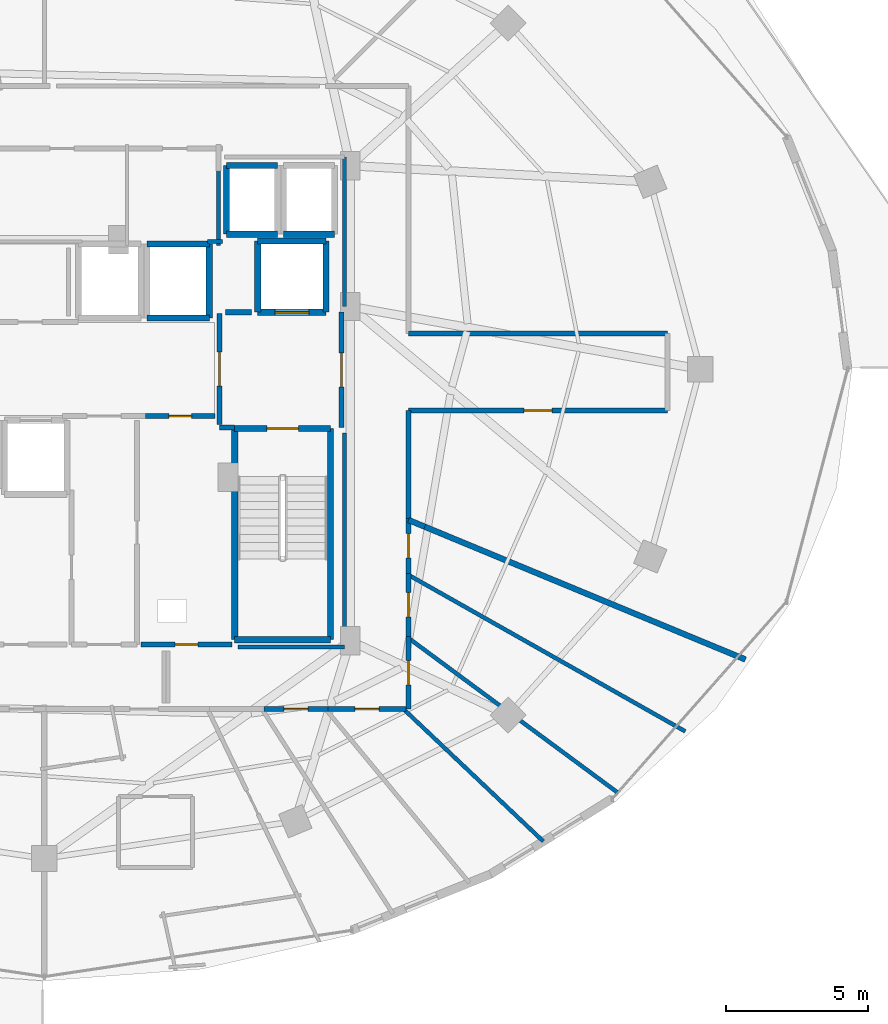
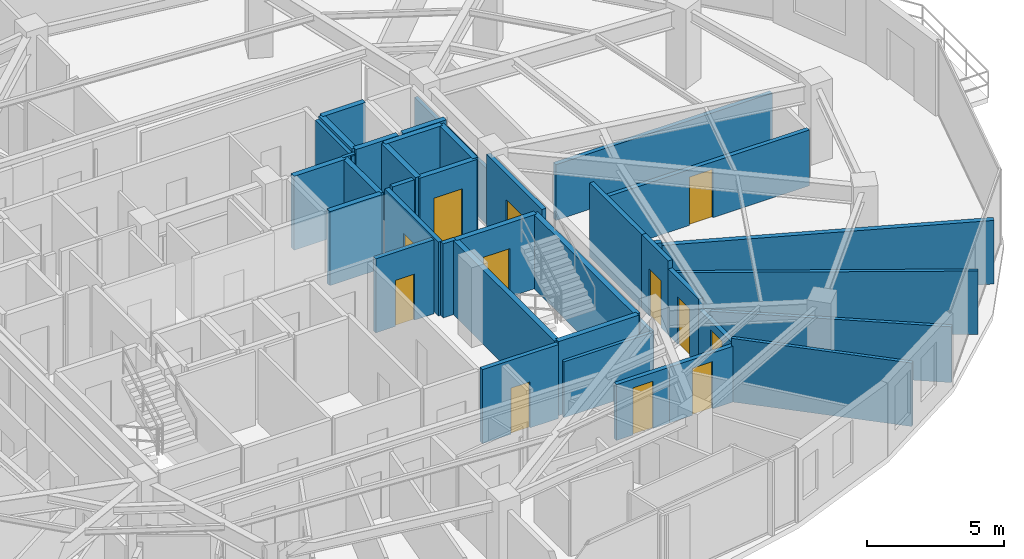
# One storey, part 28 of 33: 39 walls, 12 doors, 12 openings.
"""IFC4 building model written with IfcOpenShell, lengths in metres."""

from ifc_helpers import new_model, si_unit, direction, frame, frame_2d, origin, place, context, subcontext, project, spatial, rectangle, extrude, material, layer, layer_set, type_object, element, fill, save


model = new_model("IFC4")

# Units and contexts
model_context = context("Model", 3, precision=1e-05, world=origin(), true_north=direction((0.0, 1.0)))
body_context = subcontext(model_context, "Body", "Model", "MODEL_VIEW")
ifc_project = project(units=[si_unit("LENGTHUNIT", "METRE"), si_unit("AREAUNIT", "SQUARE_METRE"), si_unit("VOLUMEUNIT", "CUBIC_METRE"), si_unit("PLANEANGLEUNIT", "RADIAN"), si_unit("MASSUNIT", "GRAM", prefix="KILO")], contexts=[model_context])

# Site, building, storey
site_placement = place(None, origin())
site = spatial("IfcSite", under=ifc_project, at=site_placement, CompositionType="ELEMENT")
building_placement = place(site_placement, origin())
building = spatial("IfcBuilding", under=site, at=building_placement, Name="Vorneva Point Tower", CompositionType="ELEMENT")
storey_placement = place(building_placement, frame((0.0, 0.0, 200.10009765625)))
storey = spatial("IfcBuildingStorey", under=building, at=storey_placement, Name="L54", CompositionType="ELEMENT", Elevation=200.10009765625)

# Wall, opening, door
ifc_material_1 = material(Name="Concrete B60 (C50/60)", Category="concrete")
ifc_layer_1 = layer(ifc_material_1, 0.35009765625)
ifc_layer_set_1 = layer_set([ifc_layer_1], Name="Concrete B60 (C50/60)")
wall_type_1 = type_object("IfcWallType", Name="WL-CORE-350", PredefinedType="SHEAR", material=ifc_layer_set_1)
wall_1_placement = place(storey_placement, frame((45.5, 28.0, 0.0), z_axis=(0.0, 0.0, 1.0), x_axis=(1.0, 0.0, 0.0)))
wall_1 = element("IfcWall", 1, at=wall_1_placement, inside=storey, type_object=wall_type_1, Name="L54 Lift FFL2 Shaft Wall -Y", PredefinedType="SHEAR", context=body_context, shape_type="SweptSolid", body=[
    extrude(rectangle(XDim=2.39990234375, YDim=0.219970703125, at=frame_2d((1.199951171875, 0.0))), origin(), (0.0, 0.0, 1.0), 3.289794921875),
])
opening_1_placement = place(wall_1_placement, frame((0.60009765625, 0.0, 0.0)))
opening_1 = element("IfcOpeningElement", 2, at=opening_1_placement, cuts=wall_1, Name="Opening LD-02", PredefinedType="OPENING", context=body_context, shape_type="SweptSolid", body=[
    extrude(rectangle(XDim=1.199951171875, YDim=2.199951171875, at=frame_2d((0.60009765625, 1.10009765625))), frame((0.0, 0.125, 0.0), z_axis=(0.0, -1.0, 0.0), x_axis=(1.0, 0.0, 0.0)), (0.0, 0.0, 1.0), 0.249755859375),
])
ifc_material_2 = material(Name="Brushed stainless steel S304", Category="steel")
door_type_1 = type_object("IfcDoorType", Name="LD-FIRE-1200", OperationType="SLIDING_TO_LEFT", PredefinedType="DOOR", material=ifc_material_2)
door_1_placement = place(opening_1_placement, origin())
door_1 = element("IfcDoor", 3, at=door_1_placement, inside=storey, type_object=door_type_1, Name="L54 Lift FFL2 Sliding Landing Door", OperationType="SLIDING_TO_LEFT", OverallHeight=2.199951171875, OverallWidth=1.199951171875, PredefinedType="DOOR", context=body_context, shape_type="SweptSolid", body=[
    extrude(rectangle(XDim=1.199951171875, YDim=2.199951171875, at=frame_2d((0.60009765625, 1.10009765625))), frame((0.0, 0.02490234375, 0.0), z_axis=(0.0, -1.0, 0.0), x_axis=(1.0, 0.0, 0.0)), (0.0, 0.0, 1.0), 0.050048828125),
])
fill(opening_1, door_1)

# Walls
wall_2_placement = place(storey_placement, frame((47.89990234375, 28.0, 0.0), z_axis=(0.0, 0.0, 1.0), x_axis=(0.0, 1.0, 0.0)))
element("IfcWall", 4, at=wall_2_placement, inside=storey, type_object=wall_type_1, Name="L54 Lift FFL2 Shaft Wall +X", PredefinedType="SHEAR", context=body_context, shape_type="SweptSolid", body=[
    extrude(rectangle(XDim=2.5, YDim=0.219970703125, at=frame_2d((1.25, 0.0))), origin(), (0.0, 0.0, 1.0), 3.289794921875),
])
wall_3_placement = place(storey_placement, frame((47.89990234375, 30.5, 0.0), z_axis=(0.0, 0.0, 1.0), x_axis=(-1.0, 0.0, 0.0)))
element("IfcWall", 5, at=wall_3_placement, inside=storey, type_object=wall_type_1, Name="L54 Lift FFL2 Shaft Wall +Y", PredefinedType="SHEAR", context=body_context, shape_type="SweptSolid", body=[
    extrude(rectangle(XDim=2.39990234375, YDim=0.219970703125, at=frame_2d((1.199951171875, 0.0))), origin(), (0.0, 0.0, 1.0), 3.289794921875),
])
wall_4_placement = place(storey_placement, frame((45.5, 30.5, 0.0), z_axis=(0.0, 0.0, 1.0), x_axis=(0.0, -1.0, 0.0)))
element("IfcWall", 6, at=wall_4_placement, inside=storey, type_object=wall_type_1, Name="L54 Lift FFL2 Shaft Wall -X", PredefinedType="SHEAR", context=body_context, shape_type="SweptSolid", body=[
    extrude(rectangle(XDim=2.5, YDim=0.219970703125, at=frame_2d((1.25, 0.0))), origin(), (0.0, 0.0, 1.0), 3.289794921875),
])
ifc_material_3 = material(Name="Fire-rated acoustic gypsum stud partition", Category="gypsum")
ifc_layer_2 = layer(ifc_material_3, 0.139892578125)
ifc_layer_set_2 = layer_set([ifc_layer_2], Name="Fire-rated acoustic gypsum stud partition")
wall_type_2 = type_object("IfcWallType", Name="WL-PART-140", PredefinedType="PARTITIONING", material=ifc_layer_set_2)
wall_5_placement = place(storey_placement, frame((55.5380859375, 9.40087890625, 0.0), z_axis=(0.0, 0.0, 1.0), x_axis=(-0.726277952769, 0.687401145854, 0.0)))
element("IfcWall", 7, at=wall_5_placement, inside=storey, type_object=wall_type_2, Name="L54 Interior Partition 147", PredefinedType="PARTITIONING", context=body_context, shape_type="SweptSolid", body=[
    extrude(rectangle(XDim=6.763427734375, YDim=0.139892578125, at=frame_2d((3.3818359375, 0.0))), origin(), (0.0, 0.0, 1.0), 2.823974609375),
])
wall_6_placement = place(storey_placement, frame((58.174072265625, 11.09912109375, 0.0), z_axis=(0.0, 0.0, 1.0), x_axis=(-0.804363169868, 0.594137939338, 0.0)))
element("IfcWall", 8, at=wall_6_placement, inside=storey, type_object=wall_type_2, Name="L54 Interior Partition 148", PredefinedType="PARTITIONING", context=body_context, shape_type="SweptSolid", body=[
    extrude(rectangle(XDim=9.16748046875, YDim=0.139892578125, at=frame_2d((4.583740234375, 0.0))), origin(), (0.0, 0.0, 1.0), 2.48193359375),
])
wall_7_placement = place(storey_placement, frame((60.52392578125, 13.26904296875, 0.0), z_axis=(0.0, 0.0, 1.0), x_axis=(-0.870572608778, 0.49203997078, 0.0)))
element("IfcWall", 9, at=wall_7_placement, inside=storey, type_object=wall_type_2, Name="L54 Interior Partition 149", PredefinedType="PARTITIONING", context=body_context, shape_type="SweptSolid", body=[
    extrude(rectangle(XDim=11.16943359375, YDim=0.139892578125, at=frame_2d((5.584716796875, 0.0))), origin(), (0.0, 0.0, 1.0), 2.823974609375),
])
wall_8_placement = place(storey_placement, frame((43.735107421875, 30.47998046875, 0.0), z_axis=(0.0, 0.0, 1.0), x_axis=(1.0, 0.0, 0.0)))
element("IfcWall", 10, at=wall_8_placement, inside=storey, type_object=wall_type_2, Name="L54 Interior Closure Partition 156", PredefinedType="PARTITIONING", context=body_context, shape_type="SweptSolid", body=[
    extrude(rectangle(XDim=0.52490234375, YDim=0.139892578125, at=frame_2d((0.262451171875, 0.0))), origin(), (0.0, 0.0, 1.0), 3.289794921875),
])
wall_9_placement = place(storey_placement, frame((44.1201171875, 30.340087890625, 0.0), z_axis=(0.0, 0.0, 1.0), x_axis=(0.0, 1.0, 0.0)))
element("IfcWall", 11, at=wall_9_placement, inside=storey, type_object=wall_type_2, Name="L54 Interior Closure Partition 157", PredefinedType="PARTITIONING", context=body_context, shape_type="SweptSolid", body=[
    extrude(rectangle(XDim=2.659912109375, YDim=0.139892578125, at=frame_2d((1.330078125, 0.0))), origin(), (0.0, 0.0, 1.0), 3.289794921875),
])
wall_10_placement = place(storey_placement, frame((48.550048828125, 16.239990234375, 0.0), z_axis=(0.0, 0.0, 1.0), x_axis=(0.0, 1.0, 0.0)))
element("IfcWall", 12, at=wall_10_placement, inside=storey, type_object=wall_type_2, Name="L54 Interior Closure Partition 165", PredefinedType="PARTITIONING", context=body_context, shape_type="SweptSolid", body=[
    extrude(rectangle(XDim=7.513916015625, YDim=0.139892578125, at=frame_2d((3.7568359375, 0.0))), origin(), (0.0, 0.0, 1.0), 2.48193359375),
])
wall_11_placement = place(storey_placement, frame((48.550048828125, 28.196044921875, 0.0), z_axis=(0.0, 0.0, 1.0), x_axis=(0.0, 1.0, 0.0)))
element("IfcWall", 13, at=wall_11_placement, inside=storey, type_object=wall_type_2, Name="L54 Interior Closure Partition 166", PredefinedType="PARTITIONING", context=body_context, shape_type="SweptSolid", body=[
    extrude(rectangle(XDim=5.25390625, YDim=0.139892578125, at=frame_2d((2.626953125, 0.0))), origin(), (0.0, 0.0, 1.0), 2.48193359375),
])
wall_12_placement = place(storey_placement, frame((44.804931640625, 16.239990234375, 0.0), z_axis=(0.0, 0.0, 1.0), x_axis=(1.0, 0.0, 0.0)))
element("IfcWall", 14, at=wall_12_placement, inside=storey, type_object=wall_type_2, Name="L54 Interior Closure Partition 175", PredefinedType="PARTITIONING", context=body_context, shape_type="SweptSolid", body=[
    extrude(rectangle(XDim=3.7451171875, YDim=0.139892578125, at=frame_2d((1.87255859375, 0.0))), origin(), (0.0, 0.0, 1.0), 2.48193359375),
])

# Wall, opening, door
ifc_material_4 = material(Name="Autoclaved aerated concrete blockwork", Category="masonry")
ifc_layer_3 = layer(ifc_material_4, 0.179931640625)
ifc_layer_set_3 = layer_set([ifc_layer_3], Name="Autoclaved aerated concrete blockwork")
wall_type_3 = type_object("IfcWallType", Name="WL-PART-180", PredefinedType="PARTITIONING", material=ifc_layer_set_3)
wall_13_placement = place(storey_placement, frame((44.14990234375, 27.955078125, 0.0), z_axis=(0.0, 0.0, 1.0), x_axis=(0.0, -1.0, 0.0)))
wall_13 = element("IfcWall", 15, at=wall_13_placement, inside=storey, type_object=wall_type_3, Name="L54 Interior Partition 003", PredefinedType="PARTITIONING", context=body_context, shape_type="SweptSolid", body=[
    extrude(rectangle(XDim=3.91015625, YDim=0.179931640625, at=frame_2d((1.955078125, 0.0))), origin(), (0.0, 0.0, 1.0), 3.289794921875),
])
opening_2_placement = place(wall_13_placement, frame((1.35498046875, 0.0, 0.0)))
opening_2 = element("IfcOpeningElement", 16, at=opening_2_placement, cuts=wall_13, Name="Opening FD-02", PredefinedType="OPENING", context=body_context, shape_type="SweptSolid", body=[
    extrude(rectangle(XDim=1.199951171875, YDim=2.14990234375, at=frame_2d((0.60009765625, 1.074951171875))), frame((0.0, 0.10498046875, 0.0), z_axis=(0.0, -1.0, 0.0), x_axis=(1.0, 0.0, 0.0)), (0.0, 0.0, 1.0), 0.209716796875),
])
ifc_material_5 = material(Name="Fire-rated powder-coated steel", Category="steel")
door_type_2 = type_object("IfcDoorType", Name="DR-FFL-1200", OperationType="NOTDEFINED", PredefinedType="DOOR", material=ifc_material_5)
door_2_placement = place(opening_2_placement, origin())
door_2 = element("IfcDoor", 17, at=door_2_placement, inside=storey, type_object=door_type_2, Name="L54 Door East Firefighting Lobby / Central Lift Lobby", OperationType="SINGLE_SWING_RIGHT", OverallHeight=2.14990234375, OverallWidth=1.199951171875, PredefinedType="DOOR", context=body_context, shape_type="SweptSolid", body=[
    extrude(rectangle(XDim=1.199951171875, YDim=2.14990234375, at=frame_2d((0.60009765625, 1.074951171875))), frame((0.0, 0.02490234375, 0.0), z_axis=(0.0, -1.0, 0.0), x_axis=(1.0, 0.0, 0.0)), (0.0, 0.0, 1.0), 0.050048828125),
])
fill(opening_2, door_2)

# Wall
wall_14_placement = place(storey_placement, frame((44.14990234375, 23.949951171875, 0.0), z_axis=(0.0, 0.0, 1.0), x_axis=(1.0, 0.0, 0.0)))
element("IfcWall", 18, at=wall_14_placement, inside=storey, type_object=wall_type_3, Name="L54 Interior Partition 004", PredefinedType="PARTITIONING", context=body_context, shape_type="SweptSolid", body=[
    extrude(rectangle(XDim=0.5400390625, YDim=0.179931640625, at=frame_2d((0.27001953125, 0.0))), origin(), (0.0, 0.0, 1.0), 3.289794921875),
])

# Wall, opening, door
wall_15_placement = place(storey_placement, frame((48.449951171875, 23.949951171875, 0.0), z_axis=(0.0, 0.0, 1.0), x_axis=(0.0, 1.0, 0.0)))
wall_15 = element("IfcWall", 19, at=wall_15_placement, inside=storey, type_object=wall_type_3, Name="L54 Interior Partition 005", PredefinedType="PARTITIONING", context=body_context, shape_type="SweptSolid", body=[
    extrude(rectangle(XDim=4.050048828125, YDim=0.179931640625, at=frame_2d((2.02490234375, 0.0))), origin(), (0.0, 0.0, 1.0), 3.289794921875),
])
opening_3_placement = place(wall_15_placement, frame((1.425048828125, 0.0, 0.0)))
opening_3 = element("IfcOpeningElement", 20, at=opening_3_placement, cuts=wall_15, Name="Opening FD-02", PredefinedType="OPENING", context=body_context, shape_type="SweptSolid", body=[
    extrude(rectangle(XDim=1.199951171875, YDim=2.14990234375, at=frame_2d((0.60009765625, 1.074951171875))), frame((0.0, 0.10498046875, 0.0), z_axis=(0.0, -1.0, 0.0), x_axis=(1.0, 0.0, 0.0)), (0.0, 0.0, 1.0), 0.209716796875),
])
door_3_placement = place(opening_3_placement, origin())
door_3 = element("IfcDoor", 21, at=door_3_placement, inside=storey, type_object=door_type_2, Name="L54 Door East Firefighting Lobby / L54 Circulation Corridor", OperationType="SINGLE_SWING_LEFT", OverallHeight=2.14990234375, OverallWidth=1.199951171875, PredefinedType="DOOR", context=body_context, shape_type="SweptSolid", body=[
    extrude(rectangle(XDim=1.199951171875, YDim=2.14990234375, at=frame_2d((0.60009765625, 1.074951171875))), frame((0.0, 0.02490234375, 0.0), z_axis=(0.0, -1.0, 0.0), x_axis=(1.0, 0.0, 0.0)), (0.0, 0.0, 1.0), 0.050048828125),
])
fill(opening_3, door_3)

wall_16_placement = place(storey_placement, frame((41.554931640625, 24.35009765625, 0.0), z_axis=(0.0, 0.0, 1.0), x_axis=(1.0, 0.0, 0.0)))
wall_16 = element("IfcWall", 22, at=wall_16_placement, inside=storey, type_object=wall_type_3, Name="L54 Interior Partition 011", PredefinedType="PARTITIONING", context=body_context, shape_type="SweptSolid", body=[
    extrude(rectangle(XDim=2.445068359375, YDim=0.179931640625, at=frame_2d((1.22265625, 0.0))), origin(), (0.0, 0.0, 1.0), 3.289794921875),
])
opening_4_placement = place(wall_16_placement, frame((0.822509765625, 0.0, 0.0)))
opening_4 = element("IfcOpeningElement", 23, at=opening_4_placement, cuts=wall_16, Name="Opening RD-01", PredefinedType="OPENING", context=body_context, shape_type="SweptSolid", body=[
    extrude(rectangle(XDim=0.800048828125, YDim=2.050048828125, at=frame_2d((0.39990234375, 1.02490234375))), frame((0.0, 0.10498046875, 0.0), z_axis=(0.0, -1.0, 0.0), x_axis=(1.0, 0.0, 0.0)), (0.0, 0.0, 1.0), 0.209716796875),
])
door_type_3 = type_object("IfcDoorType", Name="DR-RSR-800", OperationType="SINGLE_SWING_LEFT", PredefinedType="DOOR", material=ifc_material_5)
door_4_placement = place(opening_4_placement, origin())
door_4 = element("IfcDoor", 24, at=door_4_placement, inside=storey, type_object=door_type_3, Name="L54 Door Central Lift Lobby / Electrical Riser", OperationType="SINGLE_SWING_RIGHT", OverallHeight=2.050048828125, OverallWidth=0.800048828125, PredefinedType="DOOR", context=body_context, shape_type="SweptSolid", body=[
    extrude(rectangle(XDim=0.800048828125, YDim=2.050048828125, at=frame_2d((0.39990234375, 1.02490234375))), frame((0.0, 0.02490234375, 0.0), z_axis=(0.0, -1.0, 0.0), x_axis=(1.0, 0.0, 0.0)), (0.0, 0.0, 1.0), 0.050048828125),
])
fill(opening_4, door_4)

wall_17_placement = place(storey_placement, frame((41.39990234375, 16.320068359375, 0.0), z_axis=(0.0, 0.0, 1.0), x_axis=(1.0, 0.0, 0.0)))
wall_17 = element("IfcWall", 25, at=wall_17_placement, inside=storey, type_object=wall_type_3, Name="L54 Interior Partition 017", PredefinedType="PARTITIONING", context=body_context, shape_type="SweptSolid", body=[
    extrude(rectangle(XDim=3.2001953125, YDim=0.179931640625, at=frame_2d((1.60009765625, 0.0))), origin(), (0.0, 0.0, 1.0), 3.289794921875),
])
opening_5_placement = place(wall_17_placement, frame((1.199951171875, 0.0, 0.0)))
opening_5 = element("IfcOpeningElement", 26, at=opening_5_placement, cuts=wall_17, Name="Opening RD-01", PredefinedType="OPENING", context=body_context, shape_type="SweptSolid", body=[
    extrude(rectangle(XDim=0.800048828125, YDim=2.050048828125, at=frame_2d((0.39990234375, 1.02490234375))), frame((0.0, 0.10498046875, 0.0), z_axis=(0.0, -1.0, 0.0), x_axis=(1.0, 0.0, 0.0)), (0.0, 0.0, 1.0), 0.209716796875),
])
door_5_placement = place(opening_5_placement, origin())
door_5 = element("IfcDoor", 27, at=door_5_placement, inside=storey, type_object=door_type_3, Name="L54 Door Electrical Riser / L54 Circulation Corridor", OperationType="SINGLE_SWING_RIGHT", OverallHeight=2.050048828125, OverallWidth=0.800048828125, PredefinedType="DOOR", context=body_context, shape_type="SweptSolid", body=[
    extrude(rectangle(XDim=0.800048828125, YDim=2.050048828125, at=frame_2d((0.39990234375, 1.02490234375))), frame((0.0, 0.02490234375, 0.0), z_axis=(0.0, -1.0, 0.0), x_axis=(1.0, 0.0, 0.0)), (0.0, 0.0, 1.0), 0.050048828125),
])
fill(opening_5, door_5)

wall_18_placement = place(storey_placement, frame((45.720947265625, 14.050048828125, 0.0), z_axis=(0.0, 0.0, 1.0), x_axis=(1.0, 0.0, 0.0)))
wall_18 = element("IfcWall", 28, at=wall_18_placement, inside=storey, type_object=wall_type_3, Name="L54 Interior Partition 063", PredefinedType="PARTITIONING", context=body_context, shape_type="SweptSolid", body=[
    extrude(rectangle(XDim=2.2431640625, YDim=0.179931640625, at=frame_2d((1.12158203125, 0.0))), origin(), (0.0, 0.0, 1.0), 2.48193359375),
])
opening_6_placement = place(wall_18_placement, frame((0.696533203125, 0.0, 0.0)))
opening_6 = element("IfcOpeningElement", 29, at=opening_6_placement, cuts=wall_18, Name="Opening ID-02", PredefinedType="OPENING", context=body_context, shape_type="SweptSolid", body=[
    extrude(rectangle(XDim=0.85009765625, YDim=2.10009765625, at=frame_2d((0.425048828125, 1.050048828125))), frame((0.0, 0.10498046875, 0.0), z_axis=(0.0, -1.0, 0.0), x_axis=(1.0, 0.0, 0.0)), (0.0, 0.0, 1.0), 0.209716796875),
])
ifc_material_6 = material(Name="Engineered oak fire-rated door leaf", Category="wood")
door_type_4 = type_object("IfcDoorType", Name="DR-BATH-850", OperationType="NOTDEFINED", PredefinedType="DOOR", material=ifc_material_6)
door_6_placement = place(opening_6_placement, origin())
door_6 = element("IfcDoor", 30, at=door_6_placement, inside=storey, type_object=door_type_4, Name="L54 Access Door L54 Circulation Corridor", OperationType="SINGLE_SWING_RIGHT", OverallHeight=2.10009765625, OverallWidth=0.85009765625, PredefinedType="DOOR", context=body_context, shape_type="SweptSolid", body=[
    extrude(rectangle(XDim=0.85009765625, YDim=2.10009765625, at=frame_2d((0.425048828125, 1.050048828125))), frame((0.0, 0.02490234375, 0.0), z_axis=(0.0, -1.0, 0.0), x_axis=(1.0, 0.0, 0.0)), (0.0, 0.0, 1.0), 0.050048828125),
])
fill(opening_6, door_6)

wall_19_placement = place(storey_placement, frame((47.964111328125, 14.050048828125, 0.0), z_axis=(0.0, 0.0, 1.0), x_axis=(1.0, 0.0, 0.0)))
wall_19 = element("IfcWall", 31, at=wall_19_placement, inside=storey, type_object=wall_type_3, Name="L54 Interior Partition 064", PredefinedType="PARTITIONING", context=body_context, shape_type="SweptSolid", body=[
    extrude(rectangle(XDim=2.748779296875, YDim=0.179931640625, at=frame_2d((1.37451171875, 0.0))), origin(), (0.0, 0.0, 1.0), 2.48193359375),
])
opening_7_placement = place(wall_19_placement, frame((0.949462890625, 0.0, 0.0)))
opening_7 = element("IfcOpeningElement", 32, at=opening_7_placement, cuts=wall_19, Name="Opening ID-02", PredefinedType="OPENING", context=body_context, shape_type="SweptSolid", body=[
    extrude(rectangle(XDim=0.85009765625, YDim=2.10009765625, at=frame_2d((0.425048828125, 1.050048828125))), frame((0.0, 0.10498046875, 0.0), z_axis=(0.0, -1.0, 0.0), x_axis=(1.0, 0.0, 0.0)), (0.0, 0.0, 1.0), 0.209716796875),
])
door_7_placement = place(opening_7_placement, origin())
door_7 = element("IfcDoor", 33, at=door_7_placement, inside=storey, type_object=door_type_4, Name="L54 Access Door L54 Circulation Corridor", OperationType="SINGLE_SWING_LEFT", OverallHeight=2.10009765625, OverallWidth=0.85009765625, PredefinedType="DOOR", context=body_context, shape_type="SweptSolid", body=[
    extrude(rectangle(XDim=0.85009765625, YDim=2.10009765625, at=frame_2d((0.425048828125, 1.050048828125))), frame((0.0, 0.02490234375, 0.0), z_axis=(0.0, -1.0, 0.0), x_axis=(1.0, 0.0, 0.0)), (0.0, 0.0, 1.0), 0.050048828125),
])
fill(opening_7, door_7)

wall_20_placement = place(storey_placement, frame((50.800048828125, 14.050048828125, 0.0), z_axis=(0.0, 0.0, 1.0), x_axis=(0.0, 1.0, 0.0)))
wall_20 = element("IfcWall", 34, at=wall_20_placement, inside=storey, type_object=wall_type_3, Name="L54 Interior Partition 065", PredefinedType="PARTITIONING", context=body_context, shape_type="SweptSolid", body=[
    extrude(rectangle(XDim=2.555908203125, YDim=0.179931640625, at=frame_2d((1.27783203125, 0.0))), origin(), (0.0, 0.0, 1.0), 2.48193359375),
])
opening_8_placement = place(wall_20_placement, frame((0.85302734375, 0.0, 0.0)))
opening_8 = element("IfcOpeningElement", 35, at=opening_8_placement, cuts=wall_20, Name="Opening ID-02", PredefinedType="OPENING", context=body_context, shape_type="SweptSolid", body=[
    extrude(rectangle(XDim=0.85009765625, YDim=2.10009765625, at=frame_2d((0.425048828125, 1.050048828125))), frame((0.0, 0.10498046875, 0.0), z_axis=(0.0, -1.0, 0.0), x_axis=(1.0, 0.0, 0.0)), (0.0, 0.0, 1.0), 0.209716796875),
])
door_8_placement = place(opening_8_placement, origin())
door_8 = element("IfcDoor", 36, at=door_8_placement, inside=storey, type_object=door_type_4, Name="L54 Access Door L54 Circulation Corridor", OperationType="SINGLE_SWING_RIGHT", OverallHeight=2.10009765625, OverallWidth=0.85009765625, PredefinedType="DOOR", context=body_context, shape_type="SweptSolid", body=[
    extrude(rectangle(XDim=0.85009765625, YDim=2.10009765625, at=frame_2d((0.425048828125, 1.050048828125))), frame((0.0, 0.02490234375, 0.0), z_axis=(0.0, -1.0, 0.0), x_axis=(1.0, 0.0, 0.0)), (0.0, 0.0, 1.0), 0.050048828125),
])
fill(opening_8, door_8)

wall_21_placement = place(storey_placement, frame((50.800048828125, 16.60595703125, 0.0), z_axis=(0.0, 0.0, 1.0), x_axis=(0.0, 1.0, 0.0)))
wall_21 = element("IfcWall", 37, at=wall_21_placement, inside=storey, type_object=wall_type_3, Name="L54 Interior Partition 066", PredefinedType="PARTITIONING", context=body_context, shape_type="SweptSolid", body=[
    extrude(rectangle(XDim=2.218994140625, YDim=0.179931640625, at=frame_2d((1.109375, 0.0))), origin(), (0.0, 0.0, 1.0), 2.935791015625),
])
opening_9_placement = place(wall_21_placement, frame((0.6845703125, 0.0, 0.0)))
opening_9 = element("IfcOpeningElement", 38, at=opening_9_placement, cuts=wall_21, Name="Opening ID-02", PredefinedType="OPENING", context=body_context, shape_type="SweptSolid", body=[
    extrude(rectangle(XDim=0.85009765625, YDim=2.10009765625, at=frame_2d((0.425048828125, 1.050048828125))), frame((0.0, 0.10498046875, 0.0), z_axis=(0.0, -1.0, 0.0), x_axis=(1.0, 0.0, 0.0)), (0.0, 0.0, 1.0), 0.209716796875),
])
door_9_placement = place(opening_9_placement, origin())
door_9 = element("IfcDoor", 39, at=door_9_placement, inside=storey, type_object=door_type_4, Name="L54 Access Door L54 Circulation Corridor", OperationType="SINGLE_SWING_LEFT", OverallHeight=2.10009765625, OverallWidth=0.85009765625, PredefinedType="DOOR", context=body_context, shape_type="SweptSolid", body=[
    extrude(rectangle(XDim=0.85009765625, YDim=2.10009765625, at=frame_2d((0.425048828125, 1.050048828125))), frame((0.0, 0.02490234375, 0.0), z_axis=(0.0, -1.0, 0.0), x_axis=(1.0, 0.0, 0.0)), (0.0, 0.0, 1.0), 0.050048828125),
])
fill(opening_9, door_9)

wall_22_placement = place(storey_placement, frame((50.800048828125, 18.824951171875, 0.0), z_axis=(0.0, 0.0, 1.0), x_axis=(0.0, 1.0, 0.0)))
wall_22 = element("IfcWall", 40, at=wall_22_placement, inside=storey, type_object=wall_type_3, Name="L54 Interior Partition 067", PredefinedType="PARTITIONING", context=body_context, shape_type="SweptSolid", body=[
    extrude(rectangle(XDim=1.93310546875, YDim=0.179931640625, at=frame_2d((0.966552734375, 0.0))), origin(), (0.0, 0.0, 1.0), 3.289794921875),
])
opening_10_placement = place(wall_22_placement, frame((0.54150390625, 0.0, 0.0)))
opening_10 = element("IfcOpeningElement", 41, at=opening_10_placement, cuts=wall_22, Name="Opening ID-02", PredefinedType="OPENING", context=body_context, shape_type="SweptSolid", body=[
    extrude(rectangle(XDim=0.85009765625, YDim=2.10009765625, at=frame_2d((0.425048828125, 1.050048828125))), frame((0.0, 0.10498046875, 0.0), z_axis=(0.0, -1.0, 0.0), x_axis=(1.0, 0.0, 0.0)), (0.0, 0.0, 1.0), 0.209716796875),
])
door_10_placement = place(opening_10_placement, origin())
door_10 = element("IfcDoor", 42, at=door_10_placement, inside=storey, type_object=door_type_4, Name="L54 Access Door L54 Circulation Corridor", OperationType="SINGLE_SWING_RIGHT", OverallHeight=2.10009765625, OverallWidth=0.85009765625, PredefinedType="DOOR", context=body_context, shape_type="SweptSolid", body=[
    extrude(rectangle(XDim=0.85009765625, YDim=2.10009765625, at=frame_2d((0.425048828125, 1.050048828125))), frame((0.0, 0.02490234375, 0.0), z_axis=(0.0, -1.0, 0.0), x_axis=(1.0, 0.0, 0.0)), (0.0, 0.0, 1.0), 0.050048828125),
])
fill(opening_10, door_10)

# Wall
wall_23_placement = place(storey_placement, frame((50.800048828125, 20.758056640625, 0.0), z_axis=(0.0, 0.0, 1.0), x_axis=(0.0, 1.0, 0.0)))
element("IfcWall", 43, at=wall_23_placement, inside=storey, type_object=wall_type_3, Name="L54 Interior Partition 068", PredefinedType="PARTITIONING", context=body_context, shape_type="SweptSolid", body=[
    extrude(rectangle(XDim=3.7919921875, YDim=0.179931640625, at=frame_2d((1.89599609375, 0.0))), origin(), (0.0, 0.0, 1.0), 3.289794921875),
])

# Wall, opening, door
wall_24_placement = place(storey_placement, frame((50.800048828125, 24.550048828125, 0.0), z_axis=(0.0, 0.0, 1.0), x_axis=(1.0, 0.0, 0.0)))
wall_24 = element("IfcWall", 44, at=wall_24_placement, inside=storey, type_object=wall_type_3, Name="L54 Interior Partition 069", PredefinedType="PARTITIONING", context=body_context, shape_type="SweptSolid", body=[
    extrude(rectangle(XDim=9.099853515625, YDim=0.179931640625, at=frame_2d((4.5498046875, 0.0))), origin(), (0.0, 0.0, 1.0), 2.48193359375),
])
opening_11_placement = place(wall_24_placement, frame((4.050048828125, 0.0, 0.0)))
opening_11 = element("IfcOpeningElement", 45, at=opening_11_placement, cuts=wall_24, Name="Opening UD-01", PredefinedType="OPENING", context=body_context, shape_type="SweptSolid", body=[
    extrude(rectangle(XDim=1.0, YDim=2.14990234375, at=frame_2d((0.5, 1.074951171875))), frame((0.0, 0.10498046875, 0.0), z_axis=(0.0, -1.0, 0.0), x_axis=(1.0, 0.0, 0.0)), (0.0, 0.0, 1.0), 0.209716796875),
])
door_type_5 = type_object("IfcDoorType", Name="DR-UNIT-1000", OperationType="NOTDEFINED", PredefinedType="DOOR", material=ifc_material_6)
door_11_placement = place(opening_11_placement, origin())
door_11 = element("IfcDoor", 46, at=door_11_placement, inside=storey, type_object=door_type_5, Name="L54 Door L54 Circulation Corridor / Residents Co-Working Office L54-06", OperationType="SINGLE_SWING_LEFT", OverallHeight=2.14990234375, OverallWidth=1.0, PredefinedType="DOOR", context=body_context, shape_type="SweptSolid", body=[
    extrude(rectangle(XDim=1.0, YDim=2.14990234375, at=frame_2d((0.5, 1.074951171875))), frame((0.0, 0.02490234375, 0.0), z_axis=(0.0, -1.0, 0.0), x_axis=(1.0, 0.0, 0.0)), (0.0, 0.0, 1.0), 0.050048828125),
])
fill(opening_11, door_11)

# Walls
wall_25_placement = place(storey_placement, frame((59.89990234375, 27.25, 0.0), z_axis=(0.0, 0.0, 1.0), x_axis=(-1.0, 0.0, 0.0)))
element("IfcWall", 47, at=wall_25_placement, inside=storey, type_object=wall_type_3, Name="L54 Interior Partition 071", PredefinedType="PARTITIONING", context=body_context, shape_type="SweptSolid", body=[
    extrude(rectangle(XDim=9.099853515625, YDim=0.179931640625, at=frame_2d((4.5498046875, 0.0))), origin(), (0.0, 0.0, 1.0), 2.48193359375),
])
wall_26_placement = place(storey_placement, frame((45.280029296875, 28.0, 0.0), z_axis=(0.0, 0.0, 1.0), x_axis=(-1.0, 0.0, 0.0)))
element("IfcWall", 48, at=wall_26_placement, inside=storey, type_object=wall_type_3, Name="L54 Interior Closure Partition 153", PredefinedType="PARTITIONING", context=body_context, shape_type="SweptSolid", body=[
    extrude(rectangle(XDim=0.9150390625, YDim=0.179931640625, at=frame_2d((0.45751953125, 0.0))), origin(), (0.0, 0.0, 1.0), 3.289794921875),
])
ifc_layer_4 = layer(ifc_material_4, 0.199951171875)
ifc_layer_set_4 = layer_set([ifc_layer_4], Name="Autoclaved aerated concrete blockwork")
wall_type_4 = type_object("IfcWallType", Name="WL-PART-200", PredefinedType="PARTITIONING", material=ifc_layer_set_4)
wall_27_placement = place(storey_placement, frame((51.368896484375, 20.4619140625, 0.0), z_axis=(0.0, 0.0, 1.0), x_axis=(-0.923615496363, 0.383320251066, 0.0)))
element("IfcWall", 49, at=wall_27_placement, inside=storey, type_object=wall_type_4, Name="L54 Interior Partition 150", PredefinedType="PARTITIONING", context=body_context, shape_type="SweptSolid", body=[
    extrude(rectangle(XDim=0.615966796875, YDim=0.199951171875, at=frame_2d((0.30810546875, 0.0))), origin(), (0.0, 0.0, 1.0), 2.935791015625),
])
wall_28_placement = place(storey_placement, frame((62.639892578125, 15.7939453125, 0.0), z_axis=(0.0, 0.0, 1.0), x_axis=(-0.923897809723, 0.382639304291, 0.0)))
element("IfcWall", 50, at=wall_28_placement, inside=storey, type_object=wall_type_4, Name="L54 Interior Partition 151", PredefinedType="PARTITIONING", context=body_context, shape_type="SweptSolid", body=[
    extrude(rectangle(XDim=12.199462890625, YDim=0.199951171875, at=frame_2d((6.099609375, 0.0))), origin(), (0.0, 0.0, 1.0), 2.823974609375),
])

# Wall, opening, door
ifc_material_7 = material(Name="Concrete B50 (C40/50)", Category="concrete")
ifc_layer_5 = layer(ifc_material_7, 0.219970703125)
ifc_layer_set_5 = layer_set([ifc_layer_5], Name="Concrete B50 (C40/50)")
wall_type_5 = type_object("IfcWallType", Name="WL-SHFT-220", PredefinedType="SOLIDWALL", material=ifc_layer_set_5)
wall_29_placement = place(storey_placement, frame((44.68994140625, 23.909912109375, 0.0), z_axis=(0.0, 0.0, 1.0), x_axis=(1.0, 0.0, 0.0)))
wall_29 = element("IfcWall", 51, at=wall_29_placement, inside=storey, type_object=wall_type_5, Name="L54 Exit Stair ST2 Shaft Wall near", PredefinedType="SOLIDWALL", context=body_context, shape_type="SweptSolid", body=[
    extrude(rectangle(XDim=3.3701171875, YDim=0.219970703125, at=frame_2d((1.68505859375, 0.0))), origin(), (0.0, 0.0, 1.0), 3.289794921875),
])
opening_12_placement = place(wall_29_placement, frame((1.135009765625, 0.0, 0.0)))
opening_12 = element("IfcOpeningElement", 52, at=opening_12_placement, cuts=wall_29, Name="Opening FD-01", PredefinedType="OPENING", context=body_context, shape_type="SweptSolid", body=[
    extrude(rectangle(XDim=1.10009765625, YDim=2.14990234375, at=frame_2d((0.550048828125, 1.074951171875))), frame((0.0, 0.125, 0.0), z_axis=(0.0, -1.0, 0.0), x_axis=(1.0, 0.0, 0.0)), (0.0, 0.0, 1.0), 0.249755859375),
])
door_type_6 = type_object("IfcDoorType", Name="DR-STAIR-1100", OperationType="NOTDEFINED", PredefinedType="DOOR", material=ifc_material_5)
door_12_placement = place(opening_12_placement, origin())
door_12 = element("IfcDoor", 53, at=door_12_placement, inside=storey, type_object=door_type_6, Name="L54 Exit Stair ST2 Fire Door", OperationType="SINGLE_SWING_LEFT", OverallHeight=2.14990234375, OverallWidth=1.10009765625, PredefinedType="DOOR", context=body_context, shape_type="SweptSolid", body=[
    extrude(rectangle(XDim=1.10009765625, YDim=2.14990234375, at=frame_2d((0.550048828125, 1.074951171875))), frame((0.0, 0.02490234375, 0.0), z_axis=(0.0, -1.0, 0.0), x_axis=(1.0, 0.0, 0.0)), (0.0, 0.0, 1.0), 0.050048828125),
])
fill(opening_12, door_12)

# Walls
wall_30_placement = place(storey_placement, frame((48.06005859375, 23.909912109375, 0.0), z_axis=(0.0, 0.0, 1.0), x_axis=(0.0, -1.0, 0.0)))
element("IfcWall", 54, at=wall_30_placement, inside=storey, type_object=wall_type_5, Name="L54 Exit Stair ST2 Shaft Wall right", PredefinedType="SOLIDWALL", context=body_context, shape_type="SweptSolid", body=[
    extrude(rectangle(XDim=7.419921875, YDim=0.219970703125, at=frame_2d((3.7099609375, 0.0))), origin(), (0.0, 0.0, 1.0), 3.289794921875),
])
wall_31_placement = place(storey_placement, frame((48.06005859375, 16.489990234375, 0.0), z_axis=(0.0, 0.0, 1.0), x_axis=(-1.0, 0.0, 0.0)))
element("IfcWall", 55, at=wall_31_placement, inside=storey, type_object=wall_type_5, Name="L54 Exit Stair ST2 Shaft Wall far", PredefinedType="SOLIDWALL", context=body_context, shape_type="SweptSolid", body=[
    extrude(rectangle(XDim=3.3701171875, YDim=0.219970703125, at=frame_2d((1.68505859375, 0.0))), origin(), (0.0, 0.0, 1.0), 3.289794921875),
])
wall_32_placement = place(storey_placement, frame((44.68994140625, 16.489990234375, 0.0), z_axis=(0.0, 0.0, 1.0), x_axis=(0.0, 1.0, 0.0)))
element("IfcWall", 56, at=wall_32_placement, inside=storey, type_object=wall_type_5, Name="L54 Exit Stair ST2 Shaft Wall left", PredefinedType="SOLIDWALL", context=body_context, shape_type="SweptSolid", body=[
    extrude(rectangle(XDim=7.419921875, YDim=0.219970703125, at=frame_2d((3.7099609375, 0.0))), origin(), (0.0, 0.0, 1.0), 3.289794921875),
])
wall_33_placement = place(storey_placement, frame((41.60009765625, 27.800048828125, 0.0), z_axis=(0.0, 0.0, 1.0), x_axis=(1.0, 0.0, 0.0)))
element("IfcWall", 57, at=wall_33_placement, inside=storey, type_object=wall_type_5, Name="L54 Lift PL8 Shaft Wall -Y", PredefinedType="SOLIDWALL", context=body_context, shape_type="SweptSolid", body=[
    extrude(rectangle(XDim=2.199951171875, YDim=0.219970703125, at=frame_2d((1.10009765625, 0.0))), origin(), (0.0, 0.0, 1.0), 3.289794921875),
])
wall_34_placement = place(storey_placement, frame((43.800048828125, 27.800048828125, 0.0), z_axis=(0.0, 0.0, 1.0), x_axis=(0.0, 1.0, 0.0)))
element("IfcWall", 58, at=wall_34_placement, inside=storey, type_object=wall_type_5, Name="L54 Lift PL8 Shaft Wall +X", PredefinedType="SOLIDWALL", context=body_context, shape_type="SweptSolid", body=[
    extrude(rectangle(XDim=2.599853515625, YDim=0.219970703125, at=frame_2d((1.2998046875, 0.0))), origin(), (0.0, 0.0, 1.0), 3.289794921875),
])
wall_35_placement = place(storey_placement, frame((43.800048828125, 30.39990234375, 0.0), z_axis=(0.0, 0.0, 1.0), x_axis=(-1.0, 0.0, 0.0)))
element("IfcWall", 59, at=wall_35_placement, inside=storey, type_object=wall_type_5, Name="L54 Lift PL8 Shaft Wall +Y", PredefinedType="SOLIDWALL", context=body_context, shape_type="SweptSolid", body=[
    extrude(rectangle(XDim=2.199951171875, YDim=0.219970703125, at=frame_2d((1.10009765625, 0.0))), origin(), (0.0, 0.0, 1.0), 3.289794921875),
])
for number, where, z_axis, x_axis, name in (
    (60, (44.39990234375, 30.739990234375, 0.0), (0.0, 0.0, 1.0), (1.0, 0.0, 0.0), "L54 Lift EX1 Shaft Wall -Y"),
    (61, (46.199951171875, 33.159912109375, 0.0), (0.0, 0.0, 1.0), (-1.0, 0.0, 0.0), "L54 Lift EX1 Shaft Wall +Y"),
):
    element("IfcWall", number, at=place(storey_placement, frame(where, z_axis=z_axis, x_axis=x_axis)), inside=storey, type_object=wall_type_5, Name=name, PredefinedType="SOLIDWALL", context=body_context, shape_type="SweptSolid", body=[
        extrude(rectangle(XDim=1.800048828125, YDim=0.219970703125, at=frame_2d((0.89990234375, 0.0))), origin(), (0.0, 0.0, 1.0), 3.289794921875),
    ])
wall_36_placement = place(storey_placement, frame((44.39990234375, 33.159912109375, 0.0), z_axis=(0.0, 0.0, 1.0), x_axis=(0.0, -1.0, 0.0)))
element("IfcWall", 62, at=wall_36_placement, inside=storey, type_object=wall_type_5, Name="L54 Lift EX1 Shaft Wall -X", PredefinedType="SOLIDWALL", context=body_context, shape_type="SweptSolid", body=[
    extrude(rectangle(XDim=2.419921875, YDim=0.219970703125, at=frame_2d((1.2099609375, 0.0))), origin(), (0.0, 0.0, 1.0), 3.289794921875),
])
wall_37_placement = place(storey_placement, frame((46.39990234375, 30.739990234375, 0.0), z_axis=(0.0, 0.0, 1.0), x_axis=(1.0, 0.0, 0.0)))
element("IfcWall", 63, at=wall_37_placement, inside=storey, type_object=wall_type_5, Name="L54 Lift EX2 Shaft Wall -Y", PredefinedType="SOLIDWALL", context=body_context, shape_type="SweptSolid", body=[
    extrude(rectangle(XDim=1.800048828125, YDim=0.219970703125, at=frame_2d((0.89990234375, 0.0))), origin(), (0.0, 0.0, 1.0), 3.289794921875),
])

save(model, "model.ifc")
